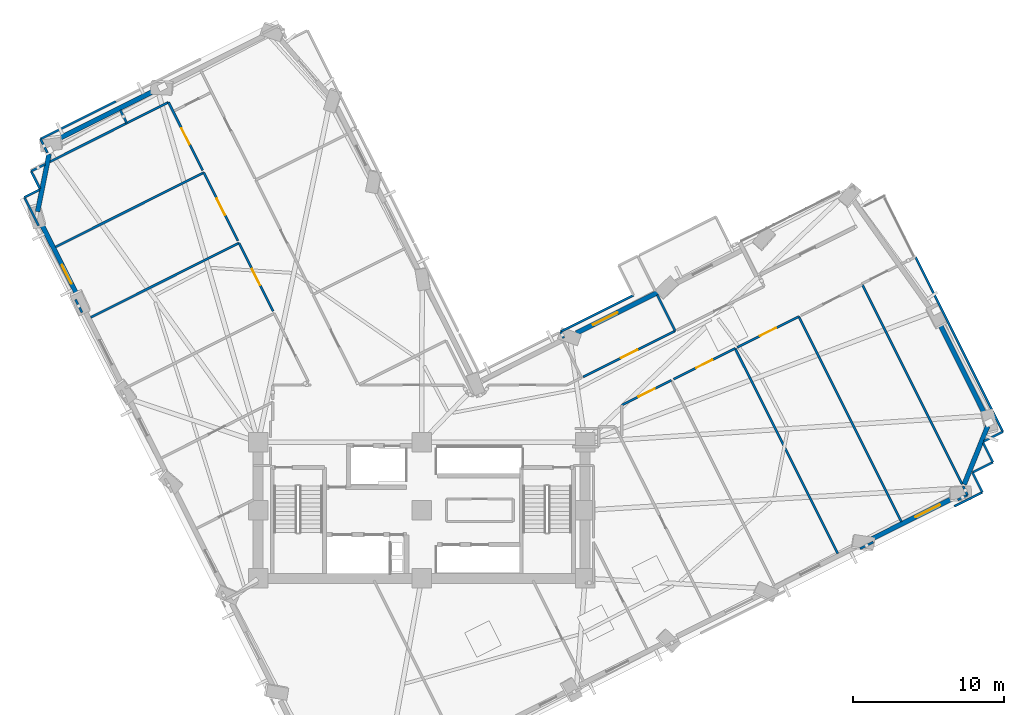
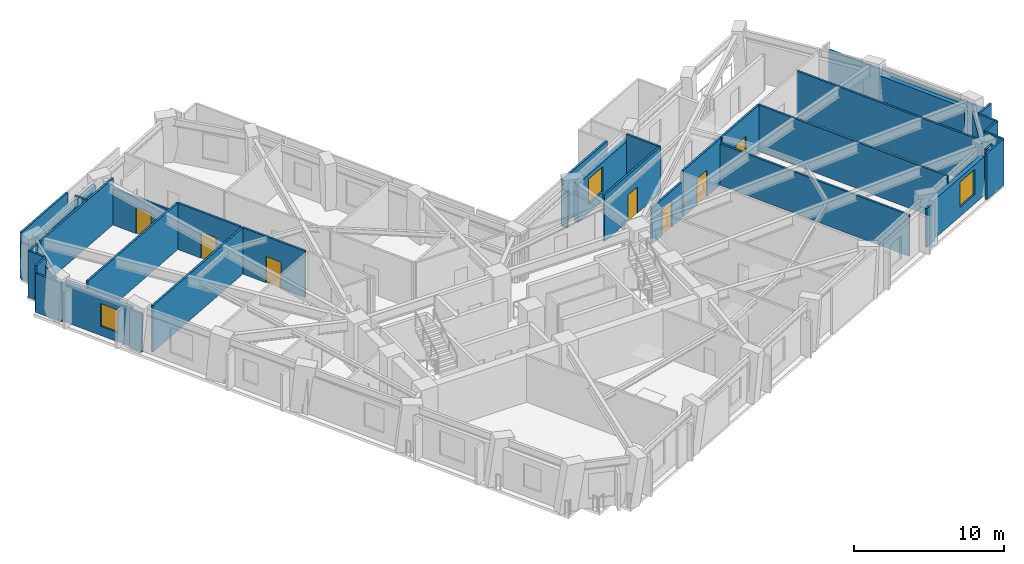
# One storey, part 10 of 16: 40 walls, 7 doors, 3 windows, 10 openings.
"""IFC4 building model written with IfcOpenShell, lengths in metres."""

from ifc_helpers import new_model, si_unit, direction, frame, frame_2d, origin, place, context, subcontext, project, spatial, rectangle, extrude, material, layer, layer_set, type_object, element, fill, save


model = new_model("IFC4")

# Units and contexts
model_context = context("Model", 3, precision=1e-05, world=origin(), true_north=direction((0.0, 1.0)))
body_context = subcontext(model_context, "Body", "Model", "MODEL_VIEW")
ifc_project = project(units=[si_unit("LENGTHUNIT", "METRE"), si_unit("AREAUNIT", "SQUARE_METRE"), si_unit("VOLUMEUNIT", "CUBIC_METRE"), si_unit("PLANEANGLEUNIT", "RADIAN"), si_unit("MASSUNIT", "GRAM", prefix="KILO")], contexts=[model_context])

# Site, building, storey
site_placement = place(None, origin())
site = spatial("IfcSite", under=ifc_project, at=site_placement, CompositionType="ELEMENT")
building_placement = place(site_placement, origin())
building = spatial("IfcBuilding", under=site, at=building_placement, Name="Gaonmaruhae Medical Tower", CompositionType="ELEMENT")
storey_placement = place(building_placement, frame((0.0, 0.0, 136.39990234375)))
storey = spatial("IfcBuildingStorey", under=building, at=storey_placement, Name="L32", CompositionType="ELEMENT", Elevation=136.39990234375)

# Wall, opening, window
ifc_material_1 = material(Name="Precast concrete C45/55", Category="concrete")
ifc_layer_1 = layer(ifc_material_1, 0.320068359375)
ifc_layer_set_1 = layer_set([ifc_layer_1], Name="Precast concrete C45/55")
wall_type_1 = type_object("IfcWallType", Name="EW-320 Lower Precast Masonry-Frame Facade Wall", PredefinedType="SOLIDWALL", material=ifc_layer_set_1)
wall_1_placement = place(storey_placement, frame((60.11572265625, 13.194091796875, 0.0), z_axis=(0.0, 0.0, 1.0), x_axis=(-0.894161076432, -0.447745429227, 0.0)))
wall_1 = element("IfcWall", 1, at=wall_1_placement, inside=storey, type_object=wall_type_1, Name="L32 Precast Masonry-Frame Wall S06-S07", PredefinedType="SOLIDWALL", context=body_context, shape_type="SweptSolid", body=[
    extrude(rectangle(XDim=6.2421875, YDim=0.320068359375, at=frame_2d((3.12109375, 0.0))), origin(), (0.0, 0.0, 1.0), 3.1650390625),
])
opening_1_placement = place(wall_1_placement, frame((1.197509765625, 0.0, 0.75)))
opening_1 = element("IfcOpeningElement", 2, at=opening_1_placement, cuts=wall_1, Name="Opening WN-04", PredefinedType="OPENING", context=body_context, shape_type="SweptSolid", body=[
    extrude(rectangle(XDim=1.800048828125, YDim=2.050048828125, at=frame_2d((0.89990234375, 1.02490234375))), frame((0.0, 0.169921875, 0.0), z_axis=(0.0, -1.0, 0.0), x_axis=(1.0, 0.0, 0.0)), (0.0, 0.0, 1.0), 0.340087890625),
])
ifc_material_2 = material(Name="Anodised aluminium and Low-E double glazing", Category="aluminium")
window_type_1 = type_object("IfcWindowType", Name="WN-04 Clinic & Consult Punched Window 1800x2050", PartitioningType="SINGLE_PANEL", PredefinedType="WINDOW", material=ifc_material_2)
window_1_placement = place(opening_1_placement, origin())
window_1 = element("IfcWindow", 3, at=window_1_placement, inside=storey, type_object=window_type_1, Name="L32 Modular Facade Window S06", OverallHeight=2.050048828125, OverallWidth=1.800048828125, PartitioningType="SINGLE_PANEL", PredefinedType="WINDOW", context=body_context, shape_type="SweptSolid", body=[
    extrude(rectangle(XDim=1.800048828125, YDim=2.050048828125, at=frame_2d((0.89990234375, 1.02490234375))), frame((0.0, 0.030029296875, 0.0), z_axis=(0.0, -1.0, 0.0), x_axis=(1.0, 0.0, 0.0)), (0.0, 0.0, 1.0), 0.06005859375),
])
fill(opening_1, window_1)

# Walls
wall_2_placement = place(storey_placement, frame((62.197998046875, 17.851806640625, 0.0), z_axis=(0.0, 0.0, 1.0), x_axis=(-0.373816351304, -0.927502741504, 0.0)))
element("IfcWall", 4, at=wall_2_placement, inside=storey, type_object=wall_type_1, Name="L32 Precast Masonry-Frame Wall S07-E01", PredefinedType="SOLIDWALL", context=body_context, shape_type="SweptSolid", body=[
    extrude(rectangle(XDim=4.145263671875, YDim=0.320068359375, at=frame_2d((2.07275390625, 0.0))), origin(), (0.0, 0.0, 1.0), 3.1650390625),
])
wall_3_placement = place(storey_placement, frame((58.934326171875, 24.793701171875, 0.0), z_axis=(0.0, 0.0, 1.0), x_axis=(0.447756031502, -0.894155767332, 0.0)))
element("IfcWall", 5, at=wall_3_placement, inside=storey, type_object=wall_type_1, Name="L32 Precast Masonry-Frame Wall E01-E02", PredefinedType="SOLIDWALL", context=body_context, shape_type="SweptSolid", body=[
    extrude(rectangle(XDim=6.840087890625, YDim=0.320068359375, at=frame_2d((3.419921875, 0.0))), origin(), (0.0, 0.0, 1.0), 3.1650390625),
])

# Wall, opening, window
wall_4_placement = place(storey_placement, frame((35.015869140625, 23.999267578125, 0.0), z_axis=(0.0, 0.0, 1.0), x_axis=(0.89415974242, 0.447748093279, 0.0)))
wall_4 = element("IfcWall", 6, at=wall_4_placement, inside=storey, type_object=wall_type_1, Name="L32 Precast Masonry-Frame Wall EN02-EN03", PredefinedType="SOLIDWALL", context=body_context, shape_type="SweptSolid", body=[
    extrude(rectangle(XDim=6.211181640625, YDim=0.320068359375, at=frame_2d((3.10546875, 0.0))), origin(), (0.0, 0.0, 1.0), 3.1650390625),
])
opening_2_placement = place(wall_4_placement, frame((1.2412109375, 0.0, 0.75)))
opening_2 = element("IfcOpeningElement", 7, at=opening_2_placement, cuts=wall_4, Name="Opening WN-04", PredefinedType="OPENING", context=body_context, shape_type="SweptSolid", body=[
    extrude(rectangle(XDim=1.800048828125, YDim=2.050048828125, at=frame_2d((0.89990234375, 1.02490234375))), frame((0.0, 0.169921875, 0.0), z_axis=(0.0, -1.0, 0.0), x_axis=(1.0, 0.0, 0.0)), (0.0, 0.0, 1.0), 0.340087890625),
])
window_2_placement = place(opening_2_placement, origin())
window_2 = element("IfcWindow", 8, at=window_2_placement, inside=storey, type_object=window_type_1, Name="L32 Modular Facade Window EN02", OverallHeight=2.050048828125, OverallWidth=1.800048828125, PartitioningType="SINGLE_PANEL", PredefinedType="WINDOW", context=body_context, shape_type="SweptSolid", body=[
    extrude(rectangle(XDim=1.800048828125, YDim=2.050048828125, at=frame_2d((0.89990234375, 1.02490234375))), frame((0.0, 0.030029296875, 0.0), z_axis=(0.0, -1.0, 0.0), x_axis=(1.0, 0.0, 0.0)), (0.0, 0.0, 1.0), 0.06005859375),
])
fill(opening_2, window_2)

# Walls
wall_5_placement = place(storey_placement, frame((0.5595703125, 36.71728515625, 0.0), z_axis=(0.0, 0.0, 1.0), x_axis=(0.894165104668, 0.44773738463, 0.0)))
element("IfcWall", 9, at=wall_5_placement, inside=storey, type_object=wall_type_1, Name="L32 Precast Masonry-Frame Wall N02-N03", PredefinedType="SOLIDWALL", context=body_context, shape_type="SweptSolid", body=[
    extrude(rectangle(XDim=7.270263671875, YDim=0.320068359375, at=frame_2d((3.63525390625, 0.0))), origin(), (0.0, 0.0, 1.0), 3.1650390625),
])
wall_6_placement = place(storey_placement, frame((-0.575439453125, 32.025390625, 0.0), z_axis=(0.0, 0.0, 1.0), x_axis=(0.196405832062, 0.980522691799, 0.0)))
element("IfcWall", 10, at=wall_6_placement, inside=storey, type_object=wall_type_1, Name="L32 Precast Masonry-Frame Wall N03-W01", PredefinedType="SOLIDWALL", context=body_context, shape_type="SweptSolid", body=[
    extrude(rectangle(XDim=3.889404296875, YDim=0.320068359375, at=frame_2d((1.94482421875, 0.0))), origin(), (0.0, 0.0, 1.0), 3.1650390625),
])

# Wall, opening, window
wall_7_placement = place(storey_placement, frame((2.13671875, 26.3251953125, 0.0), z_axis=(0.0, 0.0, 1.0), x_axis=(-0.447714715176, 0.894176455637, 0.0)))
wall_7 = element("IfcWall", 11, at=wall_7_placement, inside=storey, type_object=wall_type_1, Name="L32 Precast Masonry-Frame Wall W01-W02", PredefinedType="SOLIDWALL", context=body_context, shape_type="SweptSolid", body=[
    extrude(rectangle(XDim=5.455810546875, YDim=0.320068359375, at=frame_2d((2.72802734375, 0.0))), origin(), (0.0, 0.0, 1.0), 3.1650390625),
])
opening_3_placement = place(wall_7_placement, frame((1.048095703125, 0.0, 0.75)))
opening_3 = element("IfcOpeningElement", 12, at=opening_3_placement, cuts=wall_7, Name="Opening WN-03", PredefinedType="OPENING", context=body_context, shape_type="SweptSolid", body=[
    extrude(rectangle(XDim=1.39990234375, YDim=1.85009765625, at=frame_2d((0.699951171875, 0.925048828125))), frame((0.0, 0.169921875, 0.0), z_axis=(0.0, -1.0, 0.0), x_axis=(1.0, 0.0, 0.0)), (0.0, 0.0, 1.0), 0.340087890625),
])
window_type_2 = type_object("IfcWindowType", Name="WN-03 Isolation Ward Punched Window 1400x1850", PartitioningType="SINGLE_PANEL", PredefinedType="WINDOW", material=ifc_material_2)
window_3_placement = place(opening_3_placement, origin())
window_3 = element("IfcWindow", 13, at=window_3_placement, inside=storey, type_object=window_type_2, Name="L32 Modular Facade Window W01", OverallHeight=1.85009765625, OverallWidth=1.39990234375, PartitioningType="SINGLE_PANEL", PredefinedType="WINDOW", context=body_context, shape_type="SweptSolid", body=[
    extrude(rectangle(XDim=1.39990234375, YDim=1.85009765625, at=frame_2d((0.699951171875, 0.925048828125))), frame((0.0, 0.030029296875, 0.0), z_axis=(0.0, -1.0, 0.0), x_axis=(1.0, 0.0, 0.0)), (0.0, 0.0, 1.0), 0.06005859375),
])
fill(opening_3, window_3)

# Wall, opening, door
ifc_material_3 = material(Name="Gypsum board partition", Category="gypsum")
ifc_layer_2 = layer(ifc_material_3, 0.14990234375)
ifc_layer_set_2 = layer_set([ifc_layer_2], Name="Gypsum board partition")
wall_type_2 = type_object("IfcWallType", Name="PW-150 Rated Clinical Corridor Partition", PredefinedType="PARTITIONING", material=ifc_layer_set_2)
wall_8_placement = place(storey_placement, frame((38.030029296875, 19.24609375, 0.0), z_axis=(0.0, 0.0, 1.0), x_axis=(0.894227304173, 0.447613146, 0.0)))
wall_8 = element("IfcWall", 14, at=wall_8_placement, inside=storey, type_object=wall_type_2, Name="L32 Interior Partition L32-SUP07-23", PredefinedType="PARTITIONING", context=body_context, shape_type="SweptSolid", body=[
    extrude(rectangle(XDim=3.665771484375, YDim=0.14990234375, at=frame_2d((1.8330078125, 0.0))), origin(), (0.0, 0.0, 1.0), 2.945068359375),
])
opening_4_placement = place(wall_8_placement, frame((1.23291015625, 0.0, 0.0)))
opening_4 = element("IfcOpeningElement", 15, at=opening_4_placement, cuts=wall_8, Name="Opening CD-02", PredefinedType="OPENING", context=body_context, shape_type="SweptSolid", body=[
    extrude(rectangle(XDim=1.199951171875, YDim=2.14990234375, at=frame_2d((0.60009765625, 1.074951171875))), frame((0.0, 0.0849609375, 0.0), z_axis=(0.0, -1.0, 0.0), x_axis=(1.0, 0.0, 0.0)), (0.0, 0.0, 1.0), 0.169921875),
])
ifc_material_4 = material(Name="Antimicrobial laminate timber fire door", Category="wood")
door_type = type_object("IfcDoorType", Name="CD-02 Clinical Treatment & Procedure Door 1200x2150", OperationType="NOTDEFINED", PredefinedType="DOOR", material=ifc_material_4)
door_1_placement = place(opening_4_placement, origin())
door_1 = element("IfcDoor", 16, at=door_1_placement, inside=storey, type_object=door_type, Name="L32 Clinical Biomedical Charting Office Door", OperationType="SINGLE_SWING_RIGHT", OverallHeight=2.14990234375, OverallWidth=1.199951171875, PredefinedType="DOOR", context=body_context, shape_type="SweptSolid", body=[
    extrude(rectangle(XDim=1.199951171875, YDim=2.14990234375, at=frame_2d((0.60009765625, 1.074951171875))), frame((0.0, 0.02490234375, 0.0), z_axis=(0.0, -1.0, 0.0), x_axis=(1.0, 0.0, 0.0)), (0.0, 0.0, 1.0), 0.050048828125),
])
fill(opening_4, door_1)

wall_9_placement = place(storey_placement, frame((41.450927734375, 20.958984375, 0.0), z_axis=(0.0, 0.0, 1.0), x_axis=(0.894125827082, 0.447815816319, 0.0)))
wall_9 = element("IfcWall", 17, at=wall_9_placement, inside=storey, type_object=wall_type_2, Name="L32 Interior Partition L32-SUP08-26", PredefinedType="PARTITIONING", context=body_context, shape_type="SweptSolid", body=[
    extrude(rectangle(XDim=4.539794921875, YDim=0.14990234375, at=frame_2d((2.27001953125, 0.0))), origin(), (0.0, 0.0, 1.0), 3.780029296875),
])
opening_5_placement = place(wall_9_placement, frame((1.669921875, 0.0, 0.0)))
opening_5 = element("IfcOpeningElement", 18, at=opening_5_placement, cuts=wall_9, Name="Opening CD-02", PredefinedType="OPENING", context=body_context, shape_type="SweptSolid", body=[
    extrude(rectangle(XDim=1.199951171875, YDim=2.14990234375, at=frame_2d((0.60009765625, 1.074951171875))), frame((0.0, 0.0849609375, 0.0), z_axis=(0.0, -1.0, 0.0), x_axis=(1.0, 0.0, 0.0)), (0.0, 0.0, 1.0), 0.169921875),
])
door_2_placement = place(opening_5_placement, origin())
door_2 = element("IfcDoor", 19, at=door_2_placement, inside=storey, type_object=door_type, Name="L32 Clinical Biomedical Charting Office Door", OperationType="SINGLE_SWING_LEFT", OverallHeight=2.14990234375, OverallWidth=1.199951171875, PredefinedType="DOOR", context=body_context, shape_type="SweptSolid", body=[
    extrude(rectangle(XDim=1.199951171875, YDim=2.14990234375, at=frame_2d((0.60009765625, 1.074951171875))), frame((0.0, 0.02490234375, 0.0), z_axis=(0.0, -1.0, 0.0), x_axis=(1.0, 0.0, 0.0)), (0.0, 0.0, 1.0), 0.050048828125),
])
fill(opening_5, door_2)

# Wall
wall_10_placement = place(storey_placement, frame((45.510009765625, 22.991943359375, 0.0), z_axis=(0.0, 0.0, 1.0), x_axis=(0.447741560251, -0.894163013787, 0.0)))
element("IfcWall", 20, at=wall_10_placement, inside=storey, type_object=wall_type_2, Name="L32 Interior Partition L32-SUP08-27", PredefinedType="PARTITIONING", context=body_context, shape_type="SweptSolid", body=[
    extrude(rectangle(XDim=15.1650390625, YDim=0.14990234375, at=frame_2d((7.58251953125, 0.0))), origin(), (0.0, 0.0, 1.0), 3.364990234375),
])

# Wall, opening, door
wall_11_placement = place(storey_placement, frame((45.653076171875, 23.06298828125, 0.0), z_axis=(0.0, 0.0, 1.0), x_axis=(0.894158174305, 0.447751224815, 0.0)))
wall_11 = element("IfcWall", 21, at=wall_11_placement, inside=storey, type_object=wall_type_2, Name="L32 Interior Partition L32-SUP09-28", PredefinedType="PARTITIONING", context=body_context, shape_type="SweptSolid", body=[
    extrude(rectangle(XDim=4.540283203125, YDim=0.14990234375, at=frame_2d((2.27001953125, 0.0))), origin(), (0.0, 0.0, 1.0), 3.780029296875),
])
opening_6_placement = place(wall_11_placement, frame((1.67041015625, 0.0, 0.0)))
opening_6 = element("IfcOpeningElement", 22, at=opening_6_placement, cuts=wall_11, Name="Opening CD-02", PredefinedType="OPENING", context=body_context, shape_type="SweptSolid", body=[
    extrude(rectangle(XDim=1.199951171875, YDim=2.14990234375, at=frame_2d((0.60009765625, 1.074951171875))), frame((0.0, 0.0849609375, 0.0), z_axis=(0.0, -1.0, 0.0), x_axis=(1.0, 0.0, 0.0)), (0.0, 0.0, 1.0), 0.169921875),
])
door_3_placement = place(opening_6_placement, origin())
door_3 = element("IfcDoor", 23, at=door_3_placement, inside=storey, type_object=door_type, Name="L32 Clinical Biomedical Charting Office Door", OperationType="SINGLE_SWING_RIGHT", OverallHeight=2.14990234375, OverallWidth=1.199951171875, PredefinedType="DOOR", context=body_context, shape_type="SweptSolid", body=[
    extrude(rectangle(XDim=1.199951171875, YDim=2.14990234375, at=frame_2d((0.60009765625, 1.074951171875))), frame((0.0, 0.02490234375, 0.0), z_axis=(0.0, -1.0, 0.0), x_axis=(1.0, 0.0, 0.0)), (0.0, 0.0, 1.0), 0.050048828125),
])
fill(opening_6, door_3)

# Walls
wall_12_placement = place(storey_placement, frame((49.712890625, 25.095947265625, 0.0), z_axis=(0.0, 0.0, 1.0), x_axis=(0.447793043956, -0.894137232076, 0.0)))
element("IfcWall", 24, at=wall_12_placement, inside=storey, type_object=wall_type_2, Name="L32 Interior Partition L32-SUP09-29", PredefinedType="PARTITIONING", context=body_context, shape_type="SweptSolid", body=[
    extrude(rectangle(XDim=15.16552734375, YDim=0.14990234375, at=frame_2d((7.582763671875, 0.0))), origin(), (0.0, 0.0, 1.0), 3.780029296875),
])
wall_13_placement = place(storey_placement, frame((54.636962890625, 10.194091796875, 0.0), z_axis=(0.0, 0.0, 1.0), x_axis=(-0.893975105613, -0.448116626052, 0.0)))
element("IfcWall", 25, at=wall_13_placement, inside=storey, type_object=wall_type_2, Name="L32 Interior Partition L32-SUP09-30", PredefinedType="PARTITIONING", context=body_context, shape_type="SweptSolid", body=[
    extrude(rectangle(XDim=0.97314453125, YDim=0.14990234375, at=frame_2d((0.486572265625, 0.0))), origin(), (0.0, 0.0, 1.0), 3.1650390625),
])
wall_14_placement = place(storey_placement, frame((53.9150390625, 27.200927734375, 0.0), z_axis=(0.0, 0.0, 1.0), x_axis=(0.447723711444, -0.894171951143, 0.0)))
element("IfcWall", 26, at=wall_14_placement, inside=storey, type_object=wall_type_2, Name="L32 Interior Partition L32-SUP10-32", PredefinedType="PARTITIONING", context=body_context, shape_type="SweptSolid", body=[
    extrude(rectangle(XDim=14.73876953125, YDim=0.14990234375, at=frame_2d((7.369384765625, 0.0))), origin(), (0.0, 0.0, 1.0), 3.780029296875),
])
wall_15_placement = place(storey_placement, frame((60.580078125, 13.89111328125, 0.0), z_axis=(0.0, 0.0, 1.0), x_axis=(0.447516201314, -0.894275824096, 0.0)))
element("IfcWall", 27, at=wall_15_placement, inside=storey, type_object=wall_type_2, Name="L32 Interior Partition L32-SUP10-33", PredefinedType="PARTITIONING", context=body_context, shape_type="SweptSolid", body=[
    extrude(rectangle(XDim=0.645263671875, YDim=0.14990234375, at=frame_2d((0.32275390625, 0.0))), origin(), (0.0, 0.0, 1.0), 3.780029296875),
])
wall_16_placement = place(storey_placement, frame((60.868896484375, 13.31396484375, 0.0), z_axis=(0.0, 0.0, 1.0), x_axis=(-0.893889271737, -0.448287820349, 0.0)))
element("IfcWall", 28, at=wall_16_placement, inside=storey, type_object=wall_type_2, Name="L32 Interior Partition L32-SUP10-34", PredefinedType="PARTITIONING", context=body_context, shape_type="SweptSolid", body=[
    extrude(rectangle(XDim=0.72705078125, YDim=0.14990234375, at=frame_2d((0.363525390625, 0.0))), origin(), (0.0, 0.0, 1.0), 3.780029296875),
])
wall_17_placement = place(storey_placement, frame((2.929931640625, 25.0419921875, 0.0), z_axis=(0.0, 0.0, 1.0), x_axis=(0.894101883429, 0.447863619921, 0.0)))
element("IfcWall", 29, at=wall_17_placement, inside=storey, type_object=wall_type_2, Name="L32 Interior Partition L32-WOF14-50", PredefinedType="PARTITIONING", context=body_context, shape_type="SweptSolid", body=[
    extrude(rectangle(XDim=10.965087890625, YDim=0.14990234375, at=frame_2d((5.482421875, 0.0))), origin(), (0.0, 0.0, 1.0), 3.780029296875),
])

# Wall, opening, door
wall_18_placement = place(storey_placement, frame((12.73388671875, 29.952880859375, 0.0), z_axis=(0.0, 0.0, 1.0), x_axis=(0.447794738158, -0.894136383601, 0.0)))
wall_18 = element("IfcWall", 30, at=wall_18_placement, inside=storey, type_object=wall_type_2, Name="L32 Interior Partition L32-WOF14-51", PredefinedType="PARTITIONING", context=body_context, shape_type="SweptSolid", body=[
    extrude(rectangle(XDim=5.04052734375, YDim=0.14990234375, at=frame_2d((2.520263671875, 0.0))), origin(), (0.0, 0.0, 1.0), 3.780029296875),
])
opening_7_placement = place(wall_18_placement, frame((1.92041015625, 0.0, 0.0)))
opening_7 = element("IfcOpeningElement", 31, at=opening_7_placement, cuts=wall_18, Name="Opening CD-02", PredefinedType="OPENING", context=body_context, shape_type="SweptSolid", body=[
    extrude(rectangle(XDim=1.199951171875, YDim=2.14990234375, at=frame_2d((0.60009765625, 1.074951171875))), frame((0.0, 0.0849609375, 0.0), z_axis=(0.0, -1.0, 0.0), x_axis=(1.0, 0.0, 0.0)), (0.0, 0.0, 1.0), 0.169921875),
])
door_4_placement = place(opening_7_placement, origin())
door_4 = element("IfcDoor", 32, at=door_4_placement, inside=storey, type_object=door_type, Name="L32 Ward Physician Reporting Office Door", OperationType="SINGLE_SWING_LEFT", OverallHeight=2.14990234375, OverallWidth=1.199951171875, PredefinedType="DOOR", context=body_context, shape_type="SweptSolid", body=[
    extrude(rectangle(XDim=1.199951171875, YDim=2.14990234375, at=frame_2d((0.60009765625, 1.074951171875))), frame((0.0, 0.02490234375, 0.0), z_axis=(0.0, -1.0, 0.0), x_axis=(1.0, 0.0, 0.0)), (0.0, 0.0, 1.0), 0.050048828125),
])
fill(opening_7, door_4)

# Wall
wall_19_placement = place(storey_placement, frame((0.60205078125, 29.693115234375, 0.0), z_axis=(0.0, 0.0, 1.0), x_axis=(0.894173203887, 0.447721209516, 0.0)))
element("IfcWall", 33, at=wall_19_placement, inside=storey, type_object=wall_type_2, Name="L32 Interior Partition L32-WOF15-52", PredefinedType="PARTITIONING", context=body_context, shape_type="SweptSolid", body=[
    extrude(rectangle(XDim=10.96435546875, YDim=0.14990234375, at=frame_2d((5.482177734375, 0.0))), origin(), (0.0, 0.0, 1.0), 3.780029296875),
])

# Wall, opening, door
wall_20_placement = place(storey_placement, frame((10.406005859375, 34.60205078125, 0.0), z_axis=(0.0, 0.0, 1.0), x_axis=(0.447852925086, -0.894107240488, 0.0)))
wall_20 = element("IfcWall", 34, at=wall_20_placement, inside=storey, type_object=wall_type_2, Name="L32 Interior Partition L32-WOF15-53", PredefinedType="PARTITIONING", context=body_context, shape_type="SweptSolid", body=[
    extrude(rectangle(XDim=5.039794921875, YDim=0.14990234375, at=frame_2d((2.52001953125, 0.0))), origin(), (0.0, 0.0, 1.0), 3.780029296875),
])
opening_8_placement = place(wall_20_placement, frame((1.919921875, 0.0, 0.0)))
opening_8 = element("IfcOpeningElement", 35, at=opening_8_placement, cuts=wall_20, Name="Opening CD-02", PredefinedType="OPENING", context=body_context, shape_type="SweptSolid", body=[
    extrude(rectangle(XDim=1.199951171875, YDim=2.14990234375, at=frame_2d((0.60009765625, 1.074951171875))), frame((0.0, 0.0849609375, 0.0), z_axis=(0.0, -1.0, 0.0), x_axis=(1.0, 0.0, 0.0)), (0.0, 0.0, 1.0), 0.169921875),
])
door_5_placement = place(opening_8_placement, origin())
door_5 = element("IfcDoor", 36, at=door_5_placement, inside=storey, type_object=door_type, Name="L32 Ward Physician Reporting Office Door", OperationType="SINGLE_SWING_LEFT", OverallHeight=2.14990234375, OverallWidth=1.199951171875, PredefinedType="DOOR", context=body_context, shape_type="SweptSolid", body=[
    extrude(rectangle(XDim=1.199951171875, YDim=2.14990234375, at=frame_2d((0.60009765625, 1.074951171875))), frame((0.0, 0.02490234375, 0.0), z_axis=(0.0, -1.0, 0.0), x_axis=(1.0, 0.0, 0.0)), (0.0, 0.0, 1.0), 0.050048828125),
])
fill(opening_8, door_5)

# Walls
wall_21_placement = place(storey_placement, frame((2.362060546875, 25.363037109375, 0.0), z_axis=(0.0, 0.0, 1.0), x_axis=(-0.448635657036, 0.89371474601, 0.0)))
element("IfcWall", 37, at=wall_21_placement, inside=storey, type_object=wall_type_2, Name="L32 Interior Partition L32-WOF15-54", PredefinedType="PARTITIONING", context=body_context, shape_type="SweptSolid", body=[
    extrude(rectangle(XDim=0.9609375, YDim=0.14990234375, at=frame_2d((0.48046875, 0.0))), origin(), (0.0, 0.0, 1.0), 3.1650390625),
])
wall_22_placement = place(storey_placement, frame((-0.998046875, 34.70703125, 0.0), z_axis=(0.0, 0.0, 1.0), x_axis=(0.894427191, 0.4472135955, 0.0)))
element("IfcWall", 38, at=wall_22_placement, inside=storey, type_object=wall_type_2, Name="L32 Interior Partition L32-WOF16-55", PredefinedType="PARTITIONING", context=body_context, shape_type="SweptSolid", body=[
    extrude(rectangle(XDim=1.02197265625, YDim=0.14990234375, at=frame_2d((0.510986328125, 0.0))), origin(), (0.0, 0.0, 1.0), 3.780029296875),
])
wall_23_placement = place(storey_placement, frame((0.221923828125, 35.318115234375, 0.0), z_axis=(0.0, 0.0, 1.0), x_axis=(0.89416026767, 0.447747044346, 0.0)))
element("IfcWall", 39, at=wall_23_placement, inside=storey, type_object=wall_type_2, Name="L32 Interior Partition L32-WOF16-56", PredefinedType="PARTITIONING", context=body_context, shape_type="SweptSolid", body=[
    extrude(rectangle(XDim=8.785888671875, YDim=0.14990234375, at=frame_2d((4.39306640625, 0.0))), origin(), (0.0, 0.0, 1.0), 3.780029296875),
])

# Wall, opening, door
wall_24_placement = place(storey_placement, frame((8.077880859375, 39.251953125, 0.0), z_axis=(0.0, 0.0, 1.0), x_axis=(0.447639822216, -0.894213950666, 0.0)))
wall_24 = element("IfcWall", 40, at=wall_24_placement, inside=storey, type_object=wall_type_2, Name="L32 Interior Partition L32-WOF16-57", PredefinedType="PARTITIONING", context=body_context, shape_type="SweptSolid", body=[
    extrude(rectangle(XDim=5.0400390625, YDim=0.14990234375, at=frame_2d((2.52001953125, 0.0))), origin(), (0.0, 0.0, 1.0), 2.965087890625),
])
opening_9_placement = place(wall_24_placement, frame((1.919921875, 0.0, 0.0)))
opening_9 = element("IfcOpeningElement", 41, at=opening_9_placement, cuts=wall_24, Name="Opening CD-02", PredefinedType="OPENING", context=body_context, shape_type="SweptSolid", body=[
    extrude(rectangle(XDim=1.199951171875, YDim=2.14990234375, at=frame_2d((0.60009765625, 1.074951171875))), frame((0.0, 0.0849609375, 0.0), z_axis=(0.0, -1.0, 0.0), x_axis=(1.0, 0.0, 0.0)), (0.0, 0.0, 1.0), 0.169921875),
])
door_6_placement = place(opening_9_placement, origin())
door_6 = element("IfcDoor", 42, at=door_6_placement, inside=storey, type_object=door_type, Name="L32 Ward Physician Reporting Office Door", OperationType="SINGLE_SWING_LEFT", OverallHeight=2.14990234375, OverallWidth=1.199951171875, PredefinedType="DOOR", context=body_context, shape_type="SweptSolid", body=[
    extrude(rectangle(XDim=1.199951171875, YDim=2.14990234375, at=frame_2d((0.60009765625, 1.074951171875))), frame((0.0, 0.02490234375, 0.0), z_axis=(0.0, -1.0, 0.0), x_axis=(1.0, 0.0, 0.0)), (0.0, 0.0, 1.0), 0.050048828125),
])
fill(opening_9, door_6)

# Walls
wall_25_placement = place(storey_placement, frame((-0.511962890625, 31.10107421875, 0.0), z_axis=(0.0, 0.0, 1.0), x_axis=(-0.447820231844, 0.894123615587, 0.0)))
element("IfcWall", 43, at=wall_25_placement, inside=storey, type_object=wall_type_2, Name="L32 Interior Partition L32-WOF16-58", PredefinedType="PARTITIONING", context=body_context, shape_type="SweptSolid", body=[
    extrude(rectangle(XDim=2.09228515625, YDim=0.14990234375, at=frame_2d((1.046142578125, 0.0))), origin(), (0.0, 0.0, 1.0), 3.1650390625),
])
wall_26_placement = place(storey_placement, frame((-1.448974609375, 32.971923828125, 0.0), z_axis=(0.0, 0.0, 1.0), x_axis=(0.894214939721, 0.447637846456, 0.0)))
element("IfcWall", 44, at=wall_26_placement, inside=storey, type_object=wall_type_2, Name="L32 Interior Partition L32-WOF16-59", PredefinedType="PARTITIONING", context=body_context, shape_type="SweptSolid", body=[
    extrude(rectangle(XDim=1.15087890625, YDim=0.14990234375, at=frame_2d((0.575439453125, 0.0))), origin(), (0.0, 0.0, 1.0), 3.780029296875),
])
wall_27_placement = place(storey_placement, frame((-0.410888671875, 33.533935546875, 0.0), z_axis=(0.0, 0.0, 1.0), x_axis=(-0.447585769474, 0.894241007203, 0.0)))
element("IfcWall", 45, at=wall_27_placement, inside=storey, type_object=wall_type_2, Name="L32 Interior Partition L32-WOF16-60", PredefinedType="PARTITIONING", context=body_context, shape_type="SweptSolid", body=[
    extrude(rectangle(XDim=1.311767578125, YDim=0.14990234375, at=frame_2d((0.65576171875, 0.0))), origin(), (0.0, 0.0, 1.0), 3.780029296875),
])
wall_28_placement = place(storey_placement, frame((40.365966796875, 26.528076171875, 0.0), z_axis=(0.0, 0.0, 1.0), x_axis=(0.447801985911, -0.894132753798, 0.0)))
element("IfcWall", 46, at=wall_28_placement, inside=storey, type_object=wall_type_2, Name="L32 Interior Partition L32-IE03-75", PredefinedType="PARTITIONING", context=body_context, shape_type="SweptSolid", body=[
    extrude(rectangle(XDim=2.655029296875, YDim=0.14990234375, at=frame_2d((1.32763671875, 0.0))), origin(), (0.0, 0.0, 1.0), 3.780029296875),
])

# Wall, opening, door
wall_29_placement = place(storey_placement, frame((41.554931640625, 24.154052734375, 0.0), z_axis=(0.0, 0.0, 1.0), x_axis=(-0.894132389876, -0.447802712558, 0.0)))
wall_29 = element("IfcWall", 47, at=wall_29_placement, inside=storey, type_object=wall_type_2, Name="L32 Interior Partition L32-IE03-76", PredefinedType="PARTITIONING", context=body_context, shape_type="SweptSolid", body=[
    extrude(rectangle(XDim=6.79541015625, YDim=0.14990234375, at=frame_2d((3.397705078125, 0.0))), origin(), (0.0, 0.0, 1.0), 3.780029296875),
])
opening_10_placement = place(wall_29_placement, frame((2.797607421875, 0.0, 0.0)))
opening_10 = element("IfcOpeningElement", 48, at=opening_10_placement, cuts=wall_29, Name="Opening CD-02", PredefinedType="OPENING", context=body_context, shape_type="SweptSolid", body=[
    extrude(rectangle(XDim=1.199951171875, YDim=2.14990234375, at=frame_2d((0.60009765625, 1.074951171875))), frame((0.0, 0.0849609375, 0.0), z_axis=(0.0, -1.0, 0.0), x_axis=(1.0, 0.0, 0.0)), (0.0, 0.0, 1.0), 0.169921875),
])
door_7_placement = place(opening_10_placement, origin())
door_7 = element("IfcDoor", 49, at=door_7_placement, inside=storey, type_object=door_type, Name="L32 Clean Medication Preparation Room Door", OperationType="SINGLE_SWING_RIGHT", OverallHeight=2.14990234375, OverallWidth=1.199951171875, PredefinedType="DOOR", context=body_context, shape_type="SweptSolid", body=[
    extrude(rectangle(XDim=1.199951171875, YDim=2.14990234375, at=frame_2d((0.60009765625, 1.074951171875))), frame((0.0, 0.02490234375, 0.0), z_axis=(0.0, -1.0, 0.0), x_axis=(1.0, 0.0, 0.0)), (0.0, 0.0, 1.0), 0.050048828125),
])
fill(opening_10, door_7)

# Walls
wall_30_placement = place(storey_placement, frame((34.196044921875, 23.6708984375, 0.0), z_axis=(0.0, 0.0, 1.0), x_axis=(-0.447418586542, 0.894324666112, 0.0)))
element("IfcWall", 50, at=wall_30_placement, inside=storey, type_object=wall_type_2, Name="L32 Interior Partition L32-IE03-77", PredefinedType="PARTITIONING", context=body_context, shape_type="SweptSolid", body=[
    extrude(rectangle(XDim=0.476318359375, YDim=0.14990234375, at=frame_2d((0.23828125, 0.0))), origin(), (0.0, 0.0, 1.0), 2.965087890625),
])
wall_31_placement = place(storey_placement, frame((33.98291015625, 24.096923828125, 0.0), z_axis=(0.0, 0.0, 1.0), x_axis=(0.894136196348, 0.447795112055, 0.0)))
element("IfcWall", 51, at=wall_31_placement, inside=storey, type_object=wall_type_2, Name="L32 Interior Partition L32-IE03-78", PredefinedType="PARTITIONING", context=body_context, shape_type="SweptSolid", body=[
    extrude(rectangle(XDim=5.373046875, YDim=0.14990234375, at=frame_2d((2.6865234375, 0.0))), origin(), (0.0, 0.0, 1.0), 3.780029296875),
])
wall_32_placement = place(storey_placement, frame((4.89208984375, 38.736083984375, 0.0), z_axis=(0.0, 0.0, 1.0), x_axis=(0.44752363119, -0.894272105976, 0.0)))
element("IfcWall", 52, at=wall_32_placement, inside=storey, type_object=wall_type_2, Name="L32 Interior Partition L32-RM01-97", PredefinedType="PARTITIONING", context=body_context, shape_type="SweptSolid", body=[
    extrude(rectangle(XDim=0.94482421875, YDim=0.14990234375, at=frame_2d((0.472412109375, 0.0))), origin(), (0.0, 0.0, 1.0), 3.780029296875),
])
wall_33_placement = place(storey_placement, frame((0.075927734375, 35.9130859375, 0.0), z_axis=(0.0, 0.0, 1.0), x_axis=(-0.448073230872, 0.893996856692, 0.0)))
element("IfcWall", 53, at=wall_33_placement, inside=storey, type_object=wall_type_2, Name="L32 Interior Partition L32-RM01-98", PredefinedType="PARTITIONING", context=body_context, shape_type="SweptSolid", body=[
    extrude(rectangle(XDim=1.022216796875, YDim=0.14990234375, at=frame_2d((0.51123046875, 0.0))), origin(), (0.0, 0.0, 1.0), 2.965087890625),
])
wall_34_placement = place(storey_placement, frame((-0.382080078125, 36.826904296875, 0.0), z_axis=(0.0, 0.0, 1.0), x_axis=(0.894128920136, 0.447809640558, 0.0)))
element("IfcWall", 54, at=wall_34_placement, inside=storey, type_object=wall_type_2, Name="L32 Interior Partition L32-RM01-99", PredefinedType="PARTITIONING", context=body_context, shape_type="SweptSolid", body=[
    extrude(rectangle(XDim=5.569580078125, YDim=0.14990234375, at=frame_2d((2.78466796875, 0.0))), origin(), (0.0, 0.0, 1.0), 3.780029296875),
])
wall_35_placement = place(storey_placement, frame((61.89990234375, 16.75, 0.0), z_axis=(0.0, 0.0, 1.0), x_axis=(0.447554947324, -0.894256433651, 0.0)))
element("IfcWall", 55, at=wall_35_placement, inside=storey, type_object=wall_type_2, Name="L32 Interior Partition L32-RM05-105", PredefinedType="PARTITIONING", context=body_context, shape_type="SweptSolid", body=[
    extrude(rectangle(XDim=1.43017578125, YDim=0.14990234375, at=frame_2d((0.715087890625, 0.0))), origin(), (0.0, 0.0, 1.0), 3.780029296875),
])
wall_36_placement = place(storey_placement, frame((62.5400390625, 15.470947265625, 0.0), z_axis=(0.0, 0.0, 1.0), x_axis=(-0.894068821012, -0.447929618683, 0.0)))
element("IfcWall", 56, at=wall_36_placement, inside=storey, type_object=wall_type_2, Name="L32 Interior Partition L32-RM05-106", PredefinedType="PARTITIONING", context=body_context, shape_type="SweptSolid", body=[
    extrude(rectangle(XDim=1.5, YDim=0.14990234375, at=frame_2d((0.75, 0.0))), origin(), (0.0, 0.0, 1.0), 3.780029296875),
])
wall_37_placement = place(storey_placement, frame((61.198974609375, 14.799072265625, 0.0), z_axis=(0.0, 0.0, 1.0), x_axis=(0.447745161959, -0.894161210265, 0.0)))
element("IfcWall", 57, at=wall_37_placement, inside=storey, type_object=wall_type_2, Name="L32 Interior Partition L32-RM05-107", PredefinedType="PARTITIONING", context=body_context, shape_type="SweptSolid", body=[
    extrude(rectangle(XDim=1.469482421875, YDim=0.14990234375, at=frame_2d((0.73486328125, 0.0))), origin(), (0.0, 0.0, 1.0), 3.780029296875),
])
wall_38_placement = place(storey_placement, frame((61.85693359375, 13.485107421875, 0.0), z_axis=(0.0, 0.0, 1.0), x_axis=(-0.894120330837, -0.447826790158, 0.0)))
element("IfcWall", 58, at=wall_38_placement, inside=storey, type_object=wall_type_2, Name="L32 Interior Partition L32-RM05-108", PredefinedType="PARTITIONING", context=body_context, shape_type="SweptSolid", body=[
    extrude(rectangle(XDim=2.070068359375, YDim=0.14990234375, at=frame_2d((1.03515625, 0.0))), origin(), (0.0, 0.0, 1.0), 3.780029296875),
])
wall_39_placement = place(storey_placement, frame((57.425048828125, 29.035888671875, 0.0), z_axis=(0.0, 0.0, 1.0), x_axis=(0.447765303892, -0.894151124045, 0.0)))
element("IfcWall", 59, at=wall_39_placement, inside=storey, type_object=wall_type_2, Name="L32 Interior Partition L32-RM05-111", PredefinedType="PARTITIONING", context=body_context, shape_type="SweptSolid", body=[
    extrude(rectangle(XDim=12.91943359375, YDim=0.14990234375, at=frame_2d((6.459716796875, 0.0))), origin(), (0.0, 0.0, 1.0), 3.1650390625),
])
wall_40_placement = place(storey_placement, frame((63.2099609375, 17.48388671875, 0.0), z_axis=(0.0, 0.0, 1.0), x_axis=(-0.894014664571, -0.448037698783, 0.0)))
element("IfcWall", 60, at=wall_40_placement, inside=storey, type_object=wall_type_2, Name="L32 Interior Partition L32-RM05-112", PredefinedType="PARTITIONING", context=body_context, shape_type="SweptSolid", body=[
    extrude(rectangle(XDim=1.421630859375, YDim=0.14990234375, at=frame_2d((0.7109375, 0.0))), origin(), (0.0, 0.0, 1.0), 3.780029296875),
])

save(model, "model.ifc")
